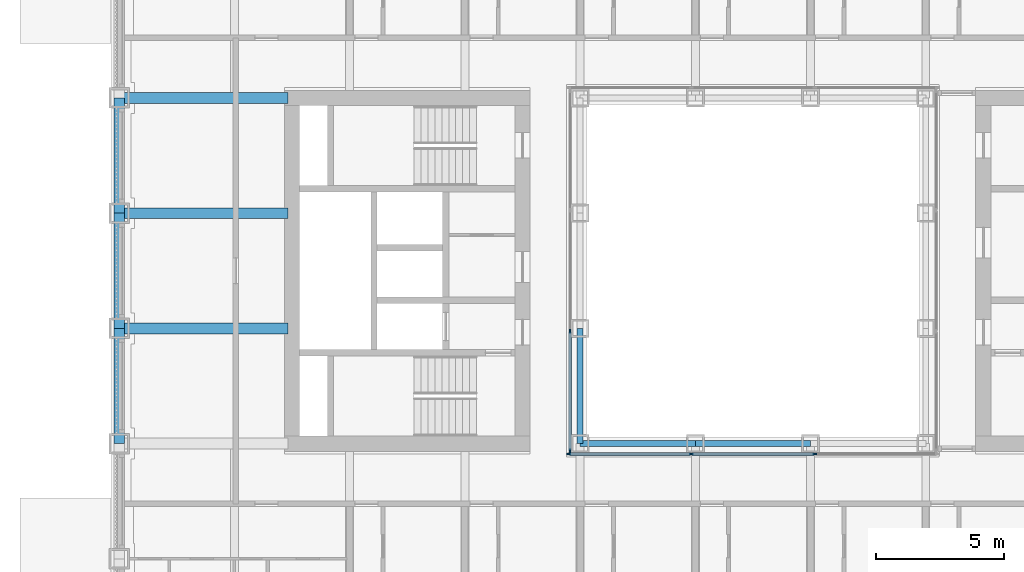
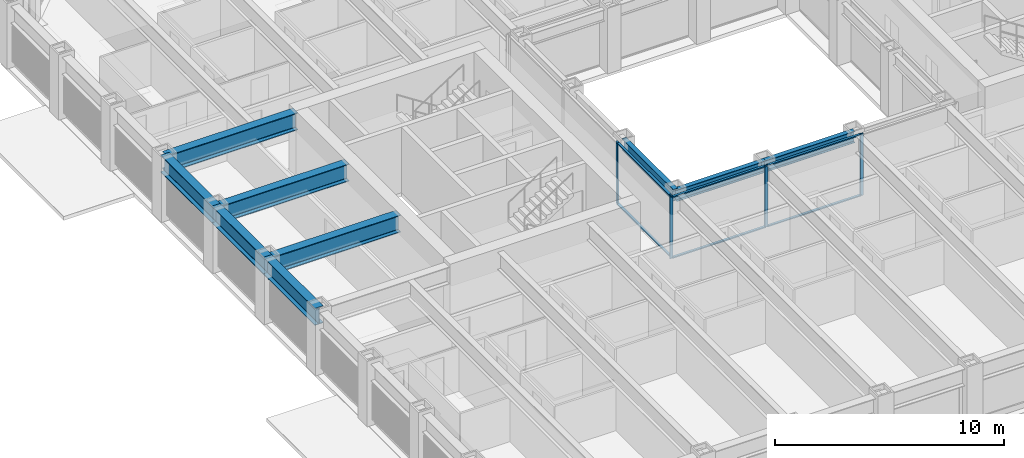
# One storey, part 3 of 24: 11 members, 9 beams, 2 elements without a shape of their own.
"""IFC4 building model written with IfcOpenShell, lengths in metres."""

from ifc_helpers import new_model, si_unit, direction, frame, origin, origin_2d, place, context, subcontext, project, spatial, rectangle, i_section, extrude, material, material_profile, profile_set, type_object, element, aggregate, save


model = new_model("IFC4")

# Units and contexts
model_context = context("Model", 3, precision=1e-05, world=origin(), true_north=direction((0.0, 1.0)))
body_context = subcontext(model_context, "Body", "Model", "MODEL_VIEW")
ifc_project = project(units=[si_unit("LENGTHUNIT", "METRE"), si_unit("AREAUNIT", "SQUARE_METRE"), si_unit("VOLUMEUNIT", "CUBIC_METRE"), si_unit("PLANEANGLEUNIT", "RADIAN"), si_unit("MASSUNIT", "GRAM", prefix="KILO")], contexts=[model_context])

# Site, building, storey
site_placement = place(None, origin())
site = spatial("IfcSite", under=ifc_project, at=site_placement, CompositionType="ELEMENT")
building_placement = place(site_placement, origin())
building = spatial("IfcBuilding", under=site, at=building_placement, Name="Msasa Ring Tower", CompositionType="ELEMENT")
storey_placement = place(building_placement, frame((0.0, 0.0, 26.5)))
storey = spatial("IfcBuildingStorey", under=building, at=storey_placement, Name="L05", CompositionType="ELEMENT", Elevation=26.5)

# Curtain wall, members
ifc_material_1 = material(Name="Aluminium curtain wall with clear glass", Category="aluminium")
curtain_wall_type = type_object("IfcCurtainWallType", Name="CW-W LIGHT WELL CURTAIN WALL", PredefinedType="NOTDEFINED", material=ifc_material_1)
curtain_wall_1_placement = place(storey_placement, origin())
curtain_wall_1 = element("IfcCurtainWall", 1, at=curtain_wall_1_placement, inside=storey, type_object=curtain_wall_type, Name="Light well curtain wall S L05", PredefinedType="NOTDEFINED")
ifc_material_2 = material(Name="Aluminium mullion", Category="aluminium")
ifc_material_profile_1 = material_profile(ifc_material_2, rectangle(XDim=0.06005859375, YDim=0.159912109375, at=origin_2d()), Name="AL 60x160")
ifc_profile_set_1 = profile_set([ifc_material_profile_1], Name="Aluminium mullion")
member_type_1 = type_object("IfcMemberType", Name="CW-W MULLION 60x160", PredefinedType="MULLION", material=ifc_profile_set_1)
member_1_placement = place(storey_placement, frame((-7.199951171875, -7.14990234375, 0.0), z_axis=(0.0, 0.0, 1.0), x_axis=(0.0, 1.0, 0.0)))
member_1 = element("IfcMember", 2, at=member_1_placement, type_object=member_type_1, Name="CW-W mullion 1", PredefinedType="MULLION", context=body_context, shape_type="SweptSolid", body=[
    extrude(rectangle(XDim=0.06005859375, YDim=0.159912109375, at=origin_2d()), origin(), (0.0, 0.0, 1.0), 3.300048828125),
])
member_2_placement = place(storey_placement, frame((-2.409912109375, -7.14990234375, 0.0), z_axis=(0.0, 0.0, 1.0), x_axis=(0.0, 1.0, 0.0)))
member_2 = element("IfcMember", 3, at=member_2_placement, type_object=member_type_1, Name="CW-W mullion 2", PredefinedType="MULLION", context=body_context, shape_type="SweptSolid", body=[
    extrude(rectangle(XDim=0.06005859375, YDim=0.159912109375, at=origin_2d()), origin(), (0.0, 0.0, 1.0), 3.300048828125),
])
member_3_placement = place(storey_placement, frame((2.409912109375, -7.14990234375, 0.0), z_axis=(0.0, 0.0, 1.0), x_axis=(0.0, 1.0, 0.0)))
member_3 = element("IfcMember", 4, at=member_3_placement, type_object=member_type_1, Name="CW-W mullion 3", PredefinedType="MULLION", context=body_context, shape_type="SweptSolid", body=[
    extrude(rectangle(XDim=0.06005859375, YDim=0.159912109375, at=origin_2d()), origin(), (0.0, 0.0, 1.0), 3.300048828125),
])

curtain_wall_2_placement = place(storey_placement, origin())
curtain_wall_2 = element("IfcCurtainWall", 5, at=curtain_wall_2_placement, inside=storey, type_object=curtain_wall_type, Name="Light well curtain wall W L05", PredefinedType="NOTDEFINED")
member_4_placement = place(storey_placement, frame((-7.14990234375, -7.0400390625, 0.0), z_axis=(0.0, 0.0, 1.0), x_axis=(-1.0, 0.0, 0.0)))
member_4 = element("IfcMember", 6, at=member_4_placement, type_object=member_type_1, Name="CW-W mullion 1", PredefinedType="MULLION", context=body_context, shape_type="SweptSolid", body=[
    extrude(rectangle(XDim=0.06005859375, YDim=0.159912109375, at=origin_2d()), origin(), (0.0, 0.0, 1.0), 3.300048828125),
])
member_5_placement = place(storey_placement, frame((-7.14990234375, -2.356689453125, 0.0), z_axis=(0.0, 0.0, 1.0), x_axis=(-1.0, 0.0, 0.0)))
member_5 = element("IfcMember", 7, at=member_5_placement, type_object=member_type_1, Name="CW-W mullion 2", PredefinedType="MULLION", context=body_context, shape_type="SweptSolid", body=[
    extrude(rectangle(XDim=0.06005859375, YDim=0.159912109375, at=origin_2d()), origin(), (0.0, 0.0, 1.0), 3.300048828125),
])

# Member
ifc_material_3 = material(Name="Aluminium transom", Category="aluminium")
ifc_material_profile_2 = material_profile(ifc_material_3, rectangle(XDim=0.1201171875, YDim=0.06005859375, at=origin_2d()), Name="AL 60x120")
ifc_profile_set_2 = profile_set([ifc_material_profile_2], Name="Aluminium transom")
member_type_2 = type_object("IfcMemberType", Name="CW-W TRANSOM 60x120", PredefinedType="USERDEFINED", material=ifc_profile_set_2)
member_6_placement = place(storey_placement, frame((-7.169921875, -7.14990234375, 0.030029296875), z_axis=(1.0, 0.0, 0.0), x_axis=(0.0, 1.0, 0.0)))
member_6 = element("IfcMember", 8, at=member_6_placement, type_object=member_type_2, Name="CW-W transom 1.1", ObjectType="TRANSOM", PredefinedType="USERDEFINED", context=body_context, shape_type="SweptSolid", body=[
    extrude(rectangle(XDim=0.1201171875, YDim=0.06005859375, at=origin_2d()), origin(), (0.0, 0.0, 1.0), 4.72998046875),
])

member_7_placement = place(storey_placement, frame((-7.169921875, -7.14990234375, 3.27001953125), z_axis=(1.0, 0.0, 0.0), x_axis=(0.0, 1.0, 0.0)))
member_7 = element("IfcMember", 9, at=member_7_placement, type_object=member_type_2, Name="CW-W transom 1.2", ObjectType="TRANSOM", PredefinedType="USERDEFINED", context=body_context, shape_type="SweptSolid", body=[
    extrude(rectangle(XDim=0.1201171875, YDim=0.06005859375, at=origin_2d()), origin(), (0.0, 0.0, 1.0), 4.72998046875),
])

member_8_placement = place(storey_placement, frame((-2.3798828125, -7.14990234375, 0.030029296875), z_axis=(1.0, 0.0, 0.0), x_axis=(0.0, 1.0, 0.0)))
member_8 = element("IfcMember", 10, at=member_8_placement, type_object=member_type_2, Name="CW-W transom 2.1", ObjectType="TRANSOM", PredefinedType="USERDEFINED", context=body_context, shape_type="SweptSolid", body=[
    extrude(rectangle(XDim=0.1201171875, YDim=0.06005859375, at=origin_2d()), origin(), (0.0, 0.0, 1.0), 4.759765625),
])

member_9_placement = place(storey_placement, frame((-2.3798828125, -7.14990234375, 3.27001953125), z_axis=(1.0, 0.0, 0.0), x_axis=(0.0, 1.0, 0.0)))
member_9 = element("IfcMember", 11, at=member_9_placement, type_object=member_type_2, Name="CW-W transom 2.2", ObjectType="TRANSOM", PredefinedType="USERDEFINED", context=body_context, shape_type="SweptSolid", body=[
    extrude(rectangle(XDim=0.1201171875, YDim=0.06005859375, at=origin_2d()), origin(), (0.0, 0.0, 1.0), 4.759765625),
])

aggregate(curtain_wall_1, [member_1, member_2, member_3, member_6, member_7, member_8, member_9])

member_10_placement = place(storey_placement, frame((-7.14990234375, -7.010009765625, 0.030029296875), z_axis=(0.0, 1.0, 0.0), x_axis=(-1.0, 0.0, 0.0)))
member_10 = element("IfcMember", 12, at=member_10_placement, type_object=member_type_2, Name="CW-W transom 1.1", ObjectType="TRANSOM", PredefinedType="USERDEFINED", context=body_context, shape_type="SweptSolid", body=[
    extrude(rectangle(XDim=0.1201171875, YDim=0.06005859375, at=origin_2d()), origin(), (0.0, 0.0, 1.0), 4.623291015625),
])

member_11_placement = place(storey_placement, frame((-7.14990234375, -7.010009765625, 3.27001953125), z_axis=(0.0, 1.0, 0.0), x_axis=(-1.0, 0.0, 0.0)))
member_11 = element("IfcMember", 13, at=member_11_placement, type_object=member_type_2, Name="CW-W transom 1.2", ObjectType="TRANSOM", PredefinedType="USERDEFINED", context=body_context, shape_type="SweptSolid", body=[
    extrude(rectangle(XDim=0.1201171875, YDim=0.06005859375, at=origin_2d()), origin(), (0.0, 0.0, 1.0), 4.623291015625),
])

aggregate(curtain_wall_2, [member_4, member_5, member_10, member_11])

# Beams
ifc_material_4 = material(Name="Steel S355", Category="steel")
ifc_material_profile_3 = material_profile(ifc_material_4, i_section(OverallWidth=0.42041015625, OverallDepth=0.9208984375, WebThickness=0.021484375, FlangeThickness=0.03662109375, FilletRadius=0.024169921875, at=origin_2d()), Name="UB 914x419x388")
ifc_profile_set_3 = profile_set([ifc_material_profile_3], Name="Steel S355")
beam_type_1 = type_object("IfcBeamType", Name="FB2 UB 914x419x388", PredefinedType="BEAM", material=ifc_profile_set_3)
for number, where, z_axis, x_axis, name in (
    (14, (-24.75, -2.25, 2.839599609375), (1.0, 0.0, 0.0), (0.0, 1.0, 0.0), "Floor beam W -2.25 under L06"),
    (15, (-24.75, 2.25, 2.839599609375), (1.0, 0.0, 0.0), (0.0, 1.0, 0.0), "Floor beam W +2.25 under L06"),
):
    element("IfcBeam", number, at=place(storey_placement, frame(where, z_axis=z_axis, x_axis=x_axis)), inside=storey, type_object=beam_type_1, Name=name, PredefinedType="BEAM", context=body_context, shape_type="SweptSolid", body=[
        extrude(i_section(OverallWidth=0.42041015625, OverallDepth=0.9208984375, WebThickness=0.021484375, FlangeThickness=0.03662109375, FilletRadius=0.024169921875, at=origin_2d()), origin(), (0.0, 0.0, 1.0), 6.60009765625),
    ])
ifc_material_5 = material(Name="Steel S355", Category="steel")
ifc_material_profile_4 = material_profile(ifc_material_5, i_section(OverallWidth=0.42041015625, OverallDepth=0.9208984375, WebThickness=0.021484375, FlangeThickness=0.03662109375, FilletRadius=0.024169921875, at=origin_2d()), Name="UB 914x419x388")
ifc_profile_set_4 = profile_set([ifc_material_profile_4], Name="Steel S355")
beam_type_2 = type_object("IfcBeamType", Name="GB1 UB 914x419x388", PredefinedType="BEAM", material=ifc_profile_set_4)
beam_placement = place(storey_placement, frame((-18.14990234375, 6.75, 2.839599609375), z_axis=(-1.0, 0.0, 0.0), x_axis=(0.0, -1.0, 0.0)))
element("IfcBeam", 16, at=beam_placement, inside=storey, type_object=beam_type_2, Name="Girder W +6.75 under L06", PredefinedType="BEAM", context=body_context, shape_type="SweptSolid", body=[
    extrude(i_section(OverallWidth=0.42041015625, OverallDepth=0.9208984375, WebThickness=0.021484375, FlangeThickness=0.03662109375, FilletRadius=0.024169921875, at=origin_2d()), origin(), (0.0, 0.0, 1.0), 6.60009765625),
])
ifc_material_6 = material(Name="Steel S355", Category="steel")
ifc_material_profile_5 = material_profile(ifc_material_6, i_section(OverallWidth=0.230224609375, OverallDepth=0.6171875, WebThickness=0.01318359375, FlangeThickness=0.022216796875, FilletRadius=0.0126953125, at=origin_2d()), Name="UB 610x229x140")
ifc_profile_set_5 = profile_set([ifc_material_profile_5], Name="Steel S355")
beam_type_3 = type_object("IfcBeamType", Name="RB1 UB 610x229x140", PredefinedType="BEAM", material=ifc_profile_set_5)
for number, where, z_axis, x_axis, name in (
    (17, (-6.75, -2.25, 2.991455078125), (0.0, -1.0, 0.0), (1.0, 0.0, 0.0), "Inner ring beam IR-6.75-2.25 under L06"),
    (18, (-6.75, -6.75, 2.991455078125), (1.0, 0.0, 0.0), (0.0, 1.0, 0.0), "Inner ring beam IR-6.75-6.75 under L06"),
    (19, (-2.25, -6.75, 2.991455078125), (1.0, 0.0, 0.0), (0.0, 1.0, 0.0), "Inner ring beam IR-2.25-6.75 under L06"),
):
    element("IfcBeam", number, at=place(storey_placement, frame(where, z_axis=z_axis, x_axis=x_axis)), inside=storey, type_object=beam_type_3, Name=name, PredefinedType="BEAM", context=body_context, shape_type="SweptSolid", body=[
        extrude(i_section(OverallWidth=0.230224609375, OverallDepth=0.6171875, WebThickness=0.01318359375, FlangeThickness=0.022216796875, FilletRadius=0.0126953125, at=origin_2d()), origin(), (0.0, 0.0, 1.0), 4.5),
    ])
ifc_material_7 = material(Name="Steel S355", Category="steel")
ifc_material_profile_6 = material_profile(ifc_material_7, i_section(OverallWidth=0.42041015625, OverallDepth=0.9208984375, WebThickness=0.021484375, FlangeThickness=0.03662109375, FilletRadius=0.024169921875, at=origin_2d()), Name="UB 914x419x388")
ifc_profile_set_6 = profile_set([ifc_material_profile_6], Name="Steel S355")
beam_type_4 = type_object("IfcBeamType", Name="SB1 UB 914x419x388", PredefinedType="SPANDREL", material=ifc_profile_set_6)
for number, where, z_axis, x_axis, name in (
    (20, (-24.75, -2.25, 2.839599609375), (0.0, -1.0, 0.0), (1.0, 0.0, 0.0), "Spandrel W-2.25 to W-6.75 under L06"),
    (21, (-24.75, 6.75, 2.839599609375), (0.0, -1.0, 0.0), (1.0, 0.0, 0.0), "Spandrel W+6.75 to W+2.25 under L06"),
    (22, (-24.75, 2.25, 2.839599609375), (0.0, -1.0, 0.0), (1.0, 0.0, 0.0), "Spandrel W+2.25 to W-2.25 under L06"),
):
    element("IfcBeam", number, at=place(storey_placement, frame(where, z_axis=z_axis, x_axis=x_axis)), inside=storey, type_object=beam_type_4, Name=name, PredefinedType="SPANDREL", context=body_context, shape_type="SweptSolid", body=[
        extrude(i_section(OverallWidth=0.42041015625, OverallDepth=0.9208984375, WebThickness=0.021484375, FlangeThickness=0.03662109375, FilletRadius=0.024169921875, at=origin_2d()), origin(), (0.0, 0.0, 1.0), 4.5),
    ])

save(model, "model.ifc")
